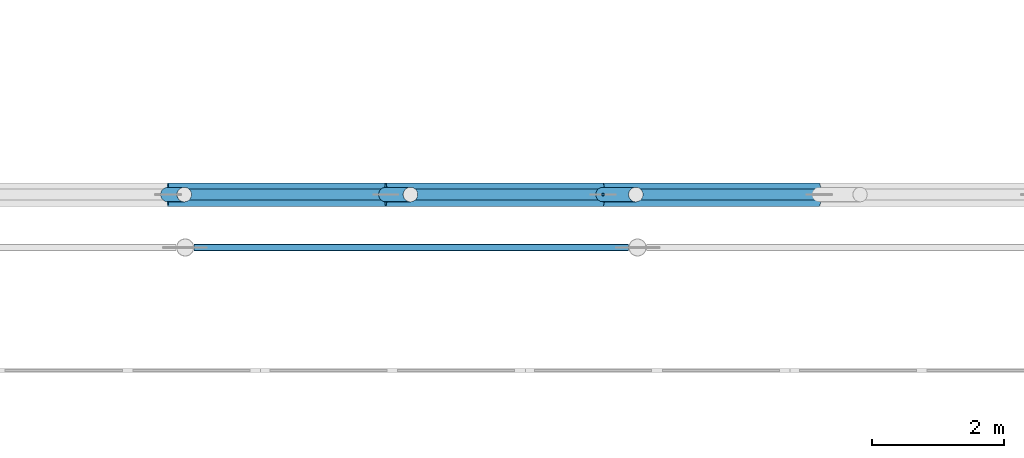
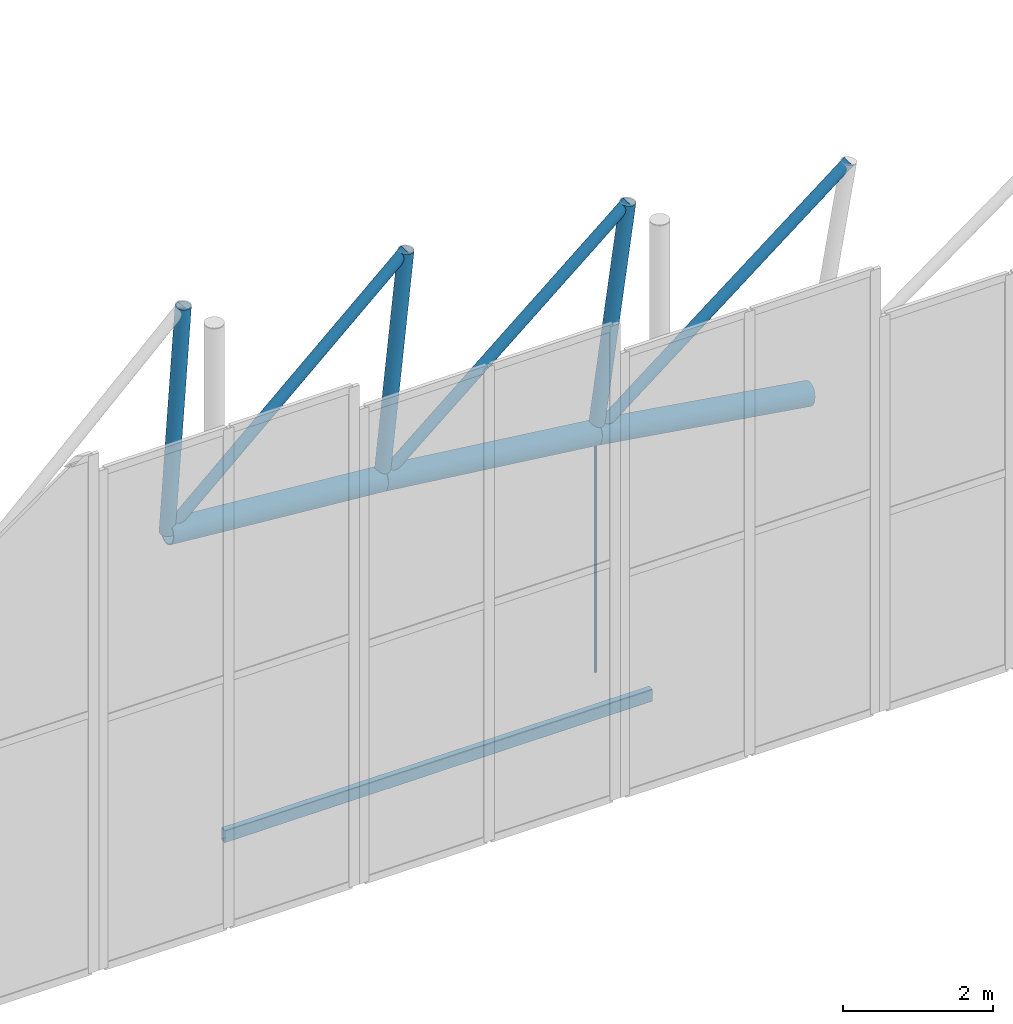
# One storey, part 198 of 321: 11 members.
"""IFC4 building model written with IfcOpenShell, lengths in metres."""

from ifc_helpers import new_model, si_unit, direction, frame, origin, origin_2d, place, context, subcontext, project, spatial, hollow_rectangle, circle, hollow_circle, extrude, material, material_profile, profile_set, type_object, element, save


model = new_model("IFC4")

# Units and contexts
model_context = context("Model", 3, precision=1e-05, world=origin(), true_north=direction((0.0, 1.0)))
body_context = subcontext(model_context, "Body", "Model", "MODEL_VIEW")
ifc_project = project(units=[si_unit("LENGTHUNIT", "METRE"), si_unit("AREAUNIT", "SQUARE_METRE"), si_unit("VOLUMEUNIT", "CUBIC_METRE"), si_unit("PLANEANGLEUNIT", "RADIAN"), si_unit("MASSUNIT", "GRAM", prefix="KILO")], contexts=[model_context])

# Site, building, storey
site_placement = place(None, origin())
site = spatial("IfcSite", under=ifc_project, at=site_placement, CompositionType="ELEMENT")
building_placement = place(site_placement, origin())
building = spatial("IfcBuilding", under=site, at=building_placement, Name="Ravi Spectrum Wholesale Market", CompositionType="ELEMENT")
storey_placement = place(building_placement, frame((0.0, 0.0, 10.800048828125)))
storey = spatial("IfcBuildingStorey", under=building, at=storey_placement, Name="L02", CompositionType="ELEMENT", Elevation=10.800048828125)

# Members
ifc_material_1 = material(Name="Steel S355", Category="steel")
ifc_material_profile_1 = material_profile(ifc_material_1, hollow_circle(Radius=0.084228515625, WallThickness=0.00634765625, at=origin_2d()))
ifc_profile_set_1 = profile_set([ifc_material_profile_1], Name="Steel S355")
member_type_1 = type_object("IfcMemberType", Name="CHS 168.3x6.3 brace", PredefinedType="BRACE", material=ifc_profile_set_1)
for number, where, z_axis, x_axis, name in (
    (1, (80.273193359375, 198.0, 7.867919921875), (-0.743626505142, 0.0, -0.668595259369), (0.0, -1.0, 0.0), "H1-MB-L02-1219"),
    (2, (83.678466796875, 198.0, 7.45458984375), (-0.766252893925, 0.0, -0.642539105854), (0.0, -1.0, 0.0), "H1-MB-L02-1220"),
    (3, (87.0673828125, 198.0, 6.92431640625), (-0.787944778548, 0.0, -0.615745910225), (0.0, -1.0, 0.0), "H1-MB-L02-1221"),
):
    element("IfcMember", number, at=place(storey_placement, frame(where, z_axis=z_axis, x_axis=x_axis)), inside=storey, type_object=member_type_1, Name=name, PredefinedType="BRACE", context=body_context, shape_type="SweptSolid", body=[
        extrude(hollow_circle(Radius=0.084228515625, WallThickness=0.00634765625, at=origin_2d()), origin(), (0.0, 0.0, 1.0), 4.9296875),
    ])
ifc_material_2 = material(Name="Steel S355", Category="steel")
ifc_material_profile_2 = material_profile(ifc_material_2, hollow_circle(Radius=0.109619140625, WallThickness=0.008056640625, at=origin_2d()))
ifc_profile_set_2 = profile_set([ifc_material_profile_2], Name="Steel S355")
member_type_2 = type_object("IfcMemberType", Name="CHS 219.1x8 post", PredefinedType="POST", material=ifc_profile_set_2)
member_1_placement = place(storey_placement, frame((76.85546875, 198.0, 8.163330078125), z_axis=(-0.068904502548, 0.0, -0.997623260319), x_axis=(0.0, -1.0, 0.0)))
element("IfcMember", 4, at=member_1_placement, inside=storey, type_object=member_type_2, Name="H1-MB-L02-1196", PredefinedType="POST", context=body_context, shape_type="SweptSolid", body=[
    extrude(hollow_circle(Radius=0.109619140625, WallThickness=0.008056640625, at=origin_2d()), origin(), (0.0, 0.0, 1.0), 3.599853515625),
])
member_2_placement = place(storey_placement, frame((80.273193359375, 198.0, 7.867919921875), z_axis=(-0.103350310801, 0.0, -0.994645018716), x_axis=(0.0, -1.0, 0.0)))
element("IfcMember", 5, at=member_2_placement, inside=storey, type_object=member_type_2, Name="H1-MB-L02-1197", PredefinedType="POST", context=body_context, shape_type="SweptSolid", body=[
    extrude(hollow_circle(Radius=0.109619140625, WallThickness=0.008056640625, at=origin_2d()), origin(), (0.0, 0.0, 1.0), 3.60009765625),
])
member_3_placement = place(storey_placement, frame((83.678466796875, 198.0, 7.45458984375), z_axis=(-0.137603486835, 0.0, -0.990487395382), x_axis=(0.0, -1.0, 0.0)))
element("IfcMember", 6, at=member_3_placement, inside=storey, type_object=member_type_2, Name="H1-MB-L02-1198", PredefinedType="POST", context=body_context, shape_type="SweptSolid", body=[
    extrude(hollow_circle(Radius=0.109619140625, WallThickness=0.008056640625, at=origin_2d()), origin(), (0.0, 0.0, 1.0), 3.599853515625),
])
ifc_material_3 = material(Name="Steel S355", Category="steel")
ifc_material_profile_3 = material_profile(ifc_material_3, hollow_circle(Radius=0.177734375, WallThickness=0.012451171875, at=origin_2d()))
ifc_profile_set_3 = profile_set([ifc_material_profile_3], Name="Steel S355")
member_type_3 = type_object("IfcMemberType", Name="CHS 355.6x12.5 chord", PredefinedType="CHORD", material=ifc_profile_set_3)
member_4_placement = place(storey_placement, frame((76.607421875, 198.0, 4.572021484375), z_axis=(0.99627955827, 0.0, -0.08618028645), x_axis=(0.0, 1.0, 0.0)))
element("IfcMember", 7, at=member_4_placement, inside=storey, type_object=member_type_3, Name="H1-MB-L02-1173", PredefinedType="CHORD", context=body_context, shape_type="SweptSolid", body=[
    extrude(hollow_circle(Radius=0.177734375, WallThickness=0.012451171875, at=origin_2d()), origin(), (0.0, 0.0, 1.0), 3.305908203125),
])
member_5_placement = place(storey_placement, frame((79.901123046875, 198.0, 4.287109375), z_axis=(0.99272014244, 0.0, -0.120443840833), x_axis=(0.0, 1.0, 0.0)))
element("IfcMember", 8, at=member_5_placement, inside=storey, type_object=member_type_3, Name="H1-MB-L02-1174", PredefinedType="CHORD", context=body_context, shape_type="SweptSolid", body=[
    extrude(hollow_circle(Radius=0.177734375, WallThickness=0.012451171875, at=origin_2d()), origin(), (0.0, 0.0, 1.0), 3.30615234375),
])
member_6_placement = place(storey_placement, frame((83.18310546875, 198.0, 3.888916015625), z_axis=(0.987973992944, 0.0, -0.154620145084), x_axis=(0.0, 1.0, 0.0)))
element("IfcMember", 9, at=member_6_placement, inside=storey, type_object=member_type_3, Name="H1-MB-L02-1175", PredefinedType="CHORD", context=body_context, shape_type="SweptSolid", body=[
    extrude(hollow_circle(Radius=0.177734375, WallThickness=0.012451171875, at=origin_2d()), origin(), (0.0, 0.0, 1.0), 3.306396484375),
])
ifc_material_4 = material(Name="Steel S355", Category="steel")
ifc_material_profile_4 = material_profile(ifc_material_4, hollow_rectangle(XDim=0.10009765625, YDim=0.199951171875, WallThickness=0.00634765625, InnerFilletRadius=0.00634765625, OuterFilletRadius=0.0126953125, at=origin_2d()))
ifc_profile_set_4 = profile_set([ifc_material_profile_4], Name="Steel S355")
member_type_4 = type_object("IfcMemberType", Name="RHS 200x100x6.3 strut", PredefinedType="STRUT", material=ifc_profile_set_4)
member_7_placement = place(storey_placement, frame((77.006103515625, 197.199951171875, 0.0), z_axis=(1.0, 0.0, 0.0), x_axis=(0.0, 1.0, 0.0)))
element("IfcMember", 10, at=member_7_placement, inside=storey, type_object=member_type_4, Name="H1-MB-L02-1759", PredefinedType="STRUT", context=body_context, shape_type="SweptSolid", body=[
    extrude(hollow_rectangle(XDim=0.10009765625, YDim=0.199951171875, WallThickness=0.00634765625, InnerFilletRadius=0.00634765625, OuterFilletRadius=0.0126953125, at=origin_2d()), origin(), (0.0, 0.0, 1.0), 6.563720703125),
])
ifc_material_5 = material(Name="Steel S355", Category="steel")
ifc_material_profile_5 = material_profile(ifc_material_5, circle(Radius=0.01806640625, at=origin_2d()))
ifc_profile_set_5 = profile_set([ifc_material_profile_5], Name="Steel S355")
member_type_5 = type_object("IfcMemberType", Name="ROD 36 hanger", PredefinedType="STRUT", material=ifc_profile_set_5)
member_8_placement = place(storey_placement, frame((83.18310546875, 198.0, 0.0), z_axis=(0.0, 0.0, 1.0), x_axis=(1.0, 0.0, 0.0)))
element("IfcMember", 11, at=member_8_placement, inside=storey, type_object=member_type_5, Name="H1-MB-L02-1232", PredefinedType="STRUT", context=body_context, shape_type="SweptSolid", body=[
    extrude(circle(Radius=0.01806640625, at=origin_2d()), origin(), (0.0, 0.0, 1.0), 3.888916015625),
])

save(model, "model.ifc")
